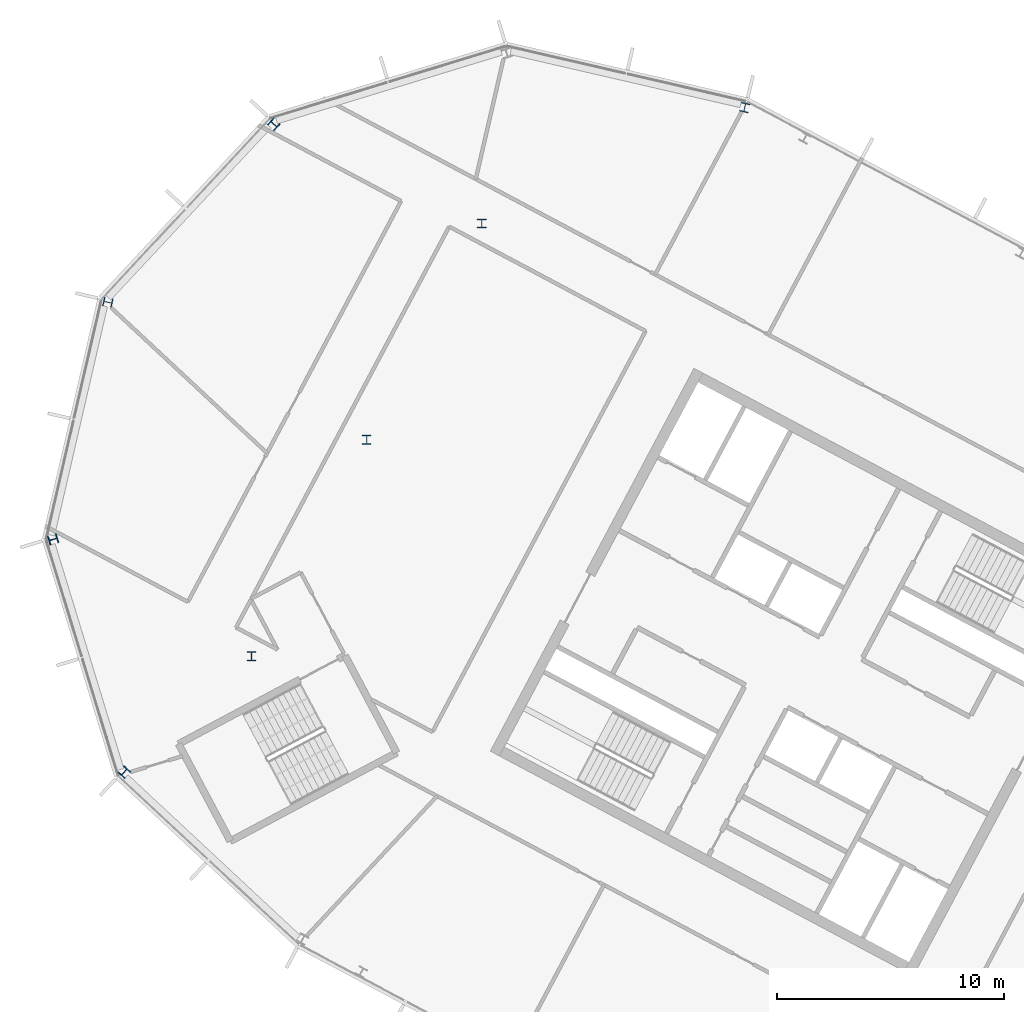
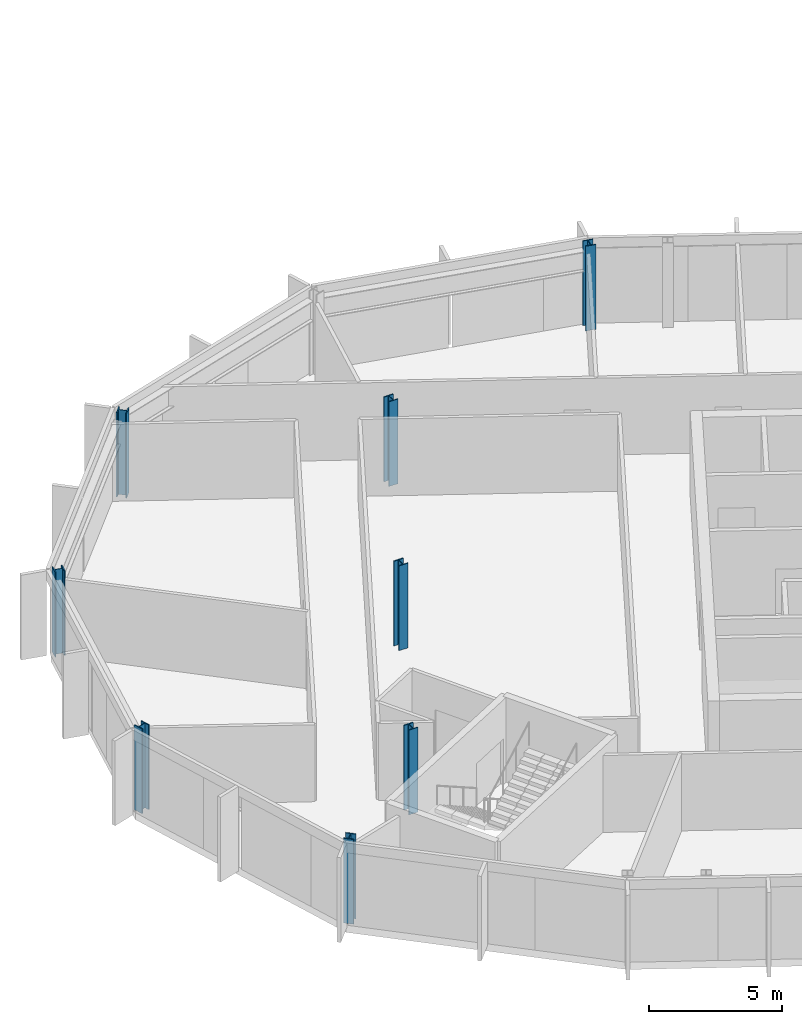
# One storey, part 3 of 25: 8 columns.
"""IFC4 building model written with IfcOpenShell, lengths in metres."""

from ifc_helpers import new_model, si_unit, direction, frame, origin, origin_2d, place, context, subcontext, project, spatial, i_section, extrude, material, material_profile, profile_set, type_object, element, save


model = new_model("IFC4")

# Units and contexts
model_context = context("Model", 3, precision=1e-05, world=origin(), true_north=direction((0.0, 1.0)))
body_context = subcontext(model_context, "Body", "Model", "MODEL_VIEW")
ifc_project = project(units=[si_unit("LENGTHUNIT", "METRE"), si_unit("AREAUNIT", "SQUARE_METRE"), si_unit("VOLUMEUNIT", "CUBIC_METRE"), si_unit("PLANEANGLEUNIT", "RADIAN"), si_unit("MASSUNIT", "GRAM", prefix="KILO")], contexts=[model_context])

# Site, building, storey
site_placement = place(None, origin())
site = spatial("IfcSite", under=ifc_project, at=site_placement, CompositionType="ELEMENT")
building_placement = place(site_placement, origin())
building = spatial("IfcBuilding", under=site, at=building_placement, Name="Cormorant Relay Tower", CompositionType="ELEMENT")
storey_placement = place(building_placement, frame((0.0, 0.0, 265.800048828125)))
storey = spatial("IfcBuildingStorey", under=building, at=storey_placement, Name="L59", CompositionType="ELEMENT", Elevation=265.800048828125)

# Columns
ifc_material = material(Name="Steel ASTM A992 (Fy 345 MPa)", Category="steel")
ifc_material_profile = material_profile(ifc_material, i_section(OverallWidth=0.40380859375, OverallDepth=0.406494140625, WebThickness=0.027099609375, FlangeThickness=0.043701171875, FilletRadius=0.01513671875, at=origin_2d()), Name="W360x347")
ifc_profile_set = profile_set([ifc_material_profile], Name="Steel ASTM A992 (Fy 345 MPa)")
column_type = type_object("IfcColumnType", Name="Column W360x347", PredefinedType="COLUMN", material=ifc_profile_set)
for number, where, z_axis, x_axis, name in (
    (1, (-57.2958984375, 10.152099609375, 0.0), (0.0, 0.0, 1.0), (0.731353701619, -0.681998360062, 0.0), "Column L59-022"),
    (2, (-51.68994140625, 15.251953125, 0.0), (0.0, 0.0, 1.0), (1.0, 0.0, 0.0), "Column L59-026"),
    (3, (-60.429931640625, 20.403076171875, 0.0), (0.0, 0.0, 1.0), (0.292371704723, -0.956304755963, 0.0), "Column L59-028"),
    (4, (-46.6201171875, 24.7880859375, 0.0), (0.0, 0.0, 1.0), (1.0, 0.0, 0.0), "Column L59-030"),
    (5, (-58.01806640625, 30.84912109375, 0.0), (0.0, 0.0, 1.0), (-0.224951054344, -0.974370064785, 0.0), "Column L59-034"),
    (6, (-41.549072265625, 34.323974609375, 0.0), (0.0, 0.0, 1.0), (1.0, 0.0, 0.0), "Column L59-037"),
    (7, (-50.70703125, 38.68896484375, 0.0), (0.0, 0.0, 1.0), (-0.681998360062, -0.731353701619, 0.0), "Column L59-041"),
    (8, (-29.965087890625, 39.425048828125, 0.0), (0.0, 0.0, 1.0), (-0.974370064785, 0.224951054344, 0.0), "Column L59-042"),
):
    element("IfcColumn", number, at=place(storey_placement, frame(where, z_axis=z_axis, x_axis=x_axis)), inside=storey, type_object=column_type, Name=name, PredefinedType="COLUMN", context=body_context, shape_type="SweptSolid", body=[
        extrude(i_section(OverallWidth=0.40380859375, OverallDepth=0.406494140625, WebThickness=0.027099609375, FlangeThickness=0.043701171875, FilletRadius=0.01513671875, at=origin_2d()), origin(), (0.0, 0.0, 1.0), 3.89990234375),
    ])

save(model, "model.ifc")
